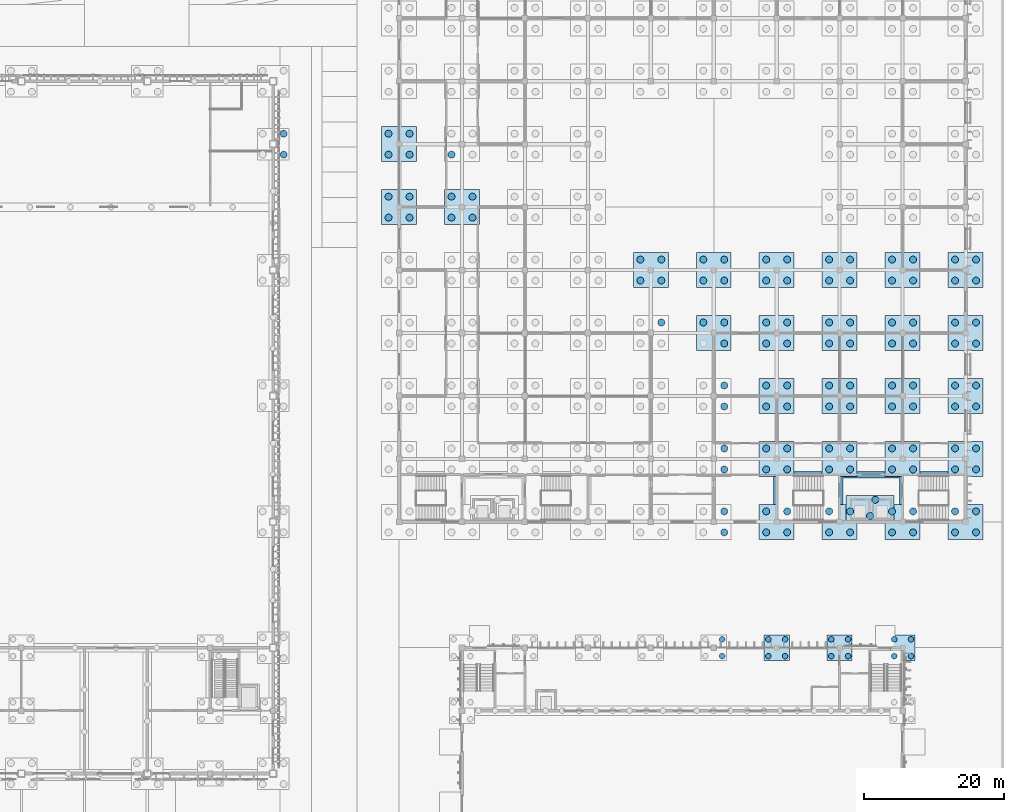
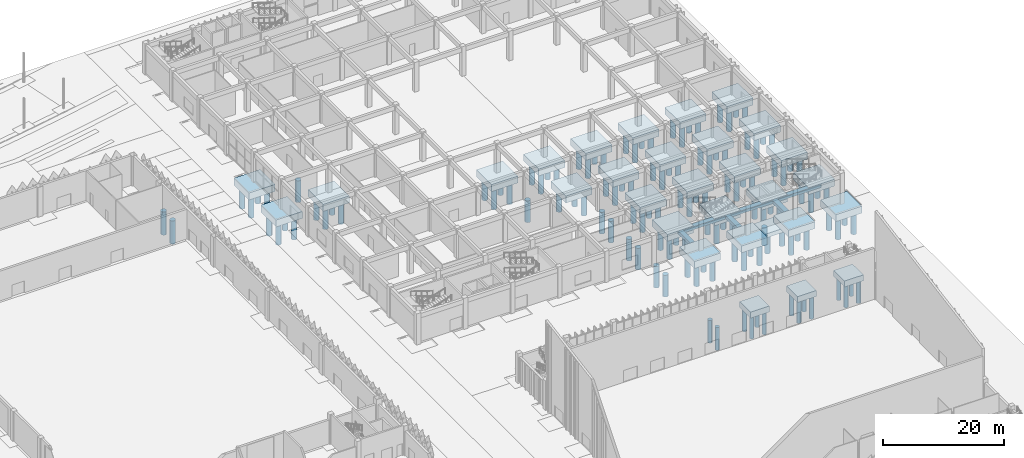
# One storey, part 15 of 198: 129 piles, 31 footings.
"""IFC4 building model written with IfcOpenShell, lengths in metres."""

from ifc_helpers import new_model, si_unit, direction, frame, origin, origin_2d, place, context, subcontext, project, spatial, polyline, circle, outline, extrude, material, layer, layer_set, material_profile, profile_set, type_object, element, save


model = new_model("IFC4")

# Units and contexts
model_context = context("Model", 3, precision=1e-05, world=origin(), true_north=direction((0.0, 1.0)))
body_context = subcontext(model_context, "Body", "Model", "MODEL_VIEW")
ifc_project = project(units=[si_unit("LENGTHUNIT", "METRE"), si_unit("AREAUNIT", "SQUARE_METRE"), si_unit("VOLUMEUNIT", "CUBIC_METRE"), si_unit("PLANEANGLEUNIT", "RADIAN"), si_unit("MASSUNIT", "GRAM", prefix="KILO")], contexts=[model_context])

# Site, building, storey
site_placement = place(None, origin())
site = spatial("IfcSite", under=ifc_project, at=site_placement, CompositionType="ELEMENT")
building_placement = place(site_placement, origin())
building = spatial("IfcBuilding", under=site, at=building_placement, Name="Opaline Strait Convention Centre", CompositionType="ELEMENT")
storey_placement = place(building_placement, origin())
storey = spatial("IfcBuildingStorey", under=building, at=storey_placement, Name="L00", CompositionType="ELEMENT", Elevation=0.0)

# Piles
ifc_material_1 = material(Name="Concrete C35", Category="concrete")
ifc_material_profile_1 = material_profile(ifc_material_1, circle(Radius=0.5, at=origin_2d()), Name="D1000")
ifc_profile_set_1 = profile_set([ifc_material_profile_1], Name="Concrete C35")
pile_type_1 = type_object("IfcPileType", Name="Bored pile D1000 C35", PredefinedType="BORED", material=ifc_profile_set_1)
for number, where, z_axis, x_axis, name in (
    (1, (262.5, 142.5, -1.300048828125), (0.0, 0.0, -1.0), (1.0, 0.0, 0.0), "Bored pile of cap 261/144"),
    (2, (262.5, 145.5, -1.300048828125), (0.0, 0.0, -1.0), (1.0, 0.0, 0.0), "Bored pile of cap 261/144"),
):
    element("IfcPile", number, at=place(storey_placement, frame(where, z_axis=z_axis, x_axis=x_axis)), inside=storey, type_object=pile_type_1, Name=name, PredefinedType="BORED", context=body_context, shape_type="SweptSolid", body=[
        extrude(circle(Radius=0.5, at=origin_2d()), origin(), (0.0, 0.0, 1.0), 4.699951171875),
    ])
ifc_material_profile_2 = material_profile(ifc_material_1, circle(Radius=0.5, at=origin_2d()), Name="D1000")
ifc_profile_set_2 = profile_set([ifc_material_profile_2], Name="Concrete C35")
pile_type_2 = type_object("IfcPileType", Name="Bored pile D1000 L3.6 C35", PredefinedType="BORED", material=ifc_profile_set_2)
for number, where, z_axis, x_axis, name in (
    (3, (346.35009765625, 90.85009765625, -2.39990234375), (0.0, 0.0, -1.0), (1.0, 0.0, 0.0), "MPL2 pile 1 of lift pit raft SE"),
    (4, (347.10009765625, 93.14990234375, -2.39990234375), (0.0, 0.0, -1.0), (1.0, 0.0, 0.0), "MPL2 pile 2 of lift pit raft SE"),
):
    element("IfcPile", number, at=place(storey_placement, frame(where, z_axis=z_axis, x_axis=x_axis)), inside=storey, type_object=pile_type_2, Name=name, PredefinedType="BORED", context=body_context, shape_type="SweptSolid", body=[
        extrude(circle(Radius=0.5, at=origin_2d()), origin(), (0.0, 0.0, 1.0), 3.60009765625),
    ])
ifc_material_profile_3 = material_profile(ifc_material_1, circle(Radius=0.5, at=origin_2d()), Name="D1000")
ifc_profile_set_3 = profile_set([ifc_material_profile_3], Name="Concrete C35")
pile_type_3 = type_object("IfcPileType", Name="Bored pile D1000 L4.4 C35", PredefinedType="BORED", material=ifc_profile_set_3)
for number, where, z_axis, x_axis, name in (
    (5, (277.5, 133.5, -1.60009765625), (0.0, 0.0, -1.0), (1.0, 0.0, 0.0), "MPL1 pile 1 of cap at 32/R"),
    (6, (277.5, 136.5, -1.60009765625), (0.0, 0.0, -1.0), (1.0, 0.0, 0.0), "MPL1 pile 2 of cap at 32/R"),
    (7, (280.5, 133.5, -1.60009765625), (0.0, 0.0, -1.0), (1.0, 0.0, 0.0), "MPL1 pile 3 of cap at 32/R"),
    (8, (280.5, 136.5, -1.60009765625), (0.0, 0.0, -1.0), (1.0, 0.0, 0.0), "MPL1 pile 4 of cap at 32/R"),
    (9, (277.5, 142.5, -1.60009765625), (0.0, 0.0, -1.0), (1.0, 0.0, 0.0), "MPL1 pile 1 of cap at 32/S"),
    (10, (277.5, 145.5, -1.60009765625), (0.0, 0.0, -1.0), (1.0, 0.0, 0.0), "MPL1 pile 2 of cap at 32/S"),
    (11, (280.5, 142.5, -1.60009765625), (0.0, 0.0, -1.0), (1.0, 0.0, 0.0), "MPL1 pile 3 of cap at 32/S"),
    (12, (280.5, 145.5, -1.60009765625), (0.0, 0.0, -1.0), (1.0, 0.0, 0.0), "MPL1 pile 4 of cap at 32/S"),
    (13, (286.5, 133.5, -1.60009765625), (0.0, 0.0, -1.0), (1.0, 0.0, 0.0), "MPL1 pile 1 of cap at 33/R"),
    (14, (286.5, 136.5, -1.60009765625), (0.0, 0.0, -1.0), (1.0, 0.0, 0.0), "MPL1 pile 2 of cap at 33/R"),
    (15, (289.5, 133.5, -1.60009765625), (0.0, 0.0, -1.0), (1.0, 0.0, 0.0), "MPL1 pile 3 of cap at 33/R"),
    (16, (289.5, 136.5, -1.60009765625), (0.0, 0.0, -1.0), (1.0, 0.0, 0.0), "MPL1 pile 4 of cap at 33/R"),
    (17, (286.5, 142.5, -1.60009765625), (0.0, 0.0, -1.0), (1.0, 0.0, 0.0), "MPL1 pile 1 of cap at 33/S"),
    (18, (316.5, 118.5, -1.60009765625), (0.0, 0.0, -1.0), (1.0, 0.0, 0.0), "MPL1 pile 4 of cap at 36/P"),
    (19, (313.5, 124.5, -1.60009765625), (0.0, 0.0, -1.0), (1.0, 0.0, 0.0), "MPL1 pile 1 of cap at 36/Q"),
    (20, (313.5, 127.5, -1.60009765625), (0.0, 0.0, -1.0), (1.0, 0.0, 0.0), "MPL1 pile 2 of cap at 36/Q"),
    (21, (316.5, 124.5, -1.60009765625), (0.0, 0.0, -1.0), (1.0, 0.0, 0.0), "MPL1 pile 3 of cap at 36/Q"),
    (22, (316.5, 127.5, -1.60009765625), (0.0, 0.0, -1.0), (1.0, 0.0, 0.0), "MPL1 pile 4 of cap at 36/Q"),
    (23, (325.5, 88.5, -1.60009765625), (0.0, 0.0, -1.0), (1.0, 0.0, 0.0), "MPL1 pile 3 of cap at 37/L"),
    (24, (325.5, 91.5, -1.60009765625), (0.0, 0.0, -1.0), (1.0, 0.0, 0.0), "MPL1 pile 4 of cap at 37/L"),
    (25, (325.5, 97.5, -1.60009765625), (0.0, 0.0, -1.0), (1.0, 0.0, 0.0), "MPL1 pile 3 of cap at 37/M"),
    (26, (325.5, 100.5, -1.60009765625), (0.0, 0.0, -1.0), (1.0, 0.0, 0.0), "MPL1 pile 4 of cap at 37/M"),
    (27, (325.5, 106.5, -1.60009765625), (0.0, 0.0, -1.0), (1.0, 0.0, 0.0), "MPL1 pile 3 of cap at 37/N"),
    (28, (325.5, 109.5, -1.60009765625), (0.0, 0.0, -1.0), (1.0, 0.0, 0.0), "MPL1 pile 4 of cap at 37/N"),
    (29, (322.5, 118.5, -1.60009765625), (0.0, 0.0, -1.0), (1.0, 0.0, 0.0), "MPL1 pile 2 of cap at 37/P"),
    (30, (325.5, 115.5, -1.60009765625), (0.0, 0.0, -1.0), (1.0, 0.0, 0.0), "MPL1 pile 3 of cap at 37/P"),
    (31, (325.5, 118.5, -1.60009765625), (0.0, 0.0, -1.0), (1.0, 0.0, 0.0), "MPL1 pile 4 of cap at 37/P"),
    (32, (322.5, 124.5, -1.60009765625), (0.0, 0.0, -1.0), (1.0, 0.0, 0.0), "MPL1 pile 1 of cap at 37/Q"),
    (33, (322.5, 127.5, -1.60009765625), (0.0, 0.0, -1.0), (1.0, 0.0, 0.0), "MPL1 pile 2 of cap at 37/Q"),
    (34, (325.5, 124.5, -1.60009765625), (0.0, 0.0, -1.0), (1.0, 0.0, 0.0), "MPL1 pile 3 of cap at 37/Q"),
    (35, (325.5, 127.5, -1.60009765625), (0.0, 0.0, -1.0), (1.0, 0.0, 0.0), "MPL1 pile 4 of cap at 37/Q"),
    (36, (331.5, 88.5, -1.60009765625), (0.0, 0.0, -1.0), (1.0, 0.0, 0.0), "MPL1 pile 1 of cap at 38/L"),
    (37, (331.5, 91.5, -1.60009765625), (0.0, 0.0, -1.0), (1.0, 0.0, 0.0), "MPL1 pile 2 of cap at 38/L"),
    (38, (334.5, 88.5, -1.60009765625), (0.0, 0.0, -1.0), (1.0, 0.0, 0.0), "MPL1 pile 3 of cap at 38/L"),
    (39, (334.5, 91.5, -1.60009765625), (0.0, 0.0, -1.0), (1.0, 0.0, 0.0), "MPL1 pile 4 of cap at 38/L"),
    (40, (331.5, 97.5, -1.60009765625), (0.0, 0.0, -1.0), (1.0, 0.0, 0.0), "MPL1 pile 1 of cap at 38/M"),
    (41, (331.5, 100.5, -1.60009765625), (0.0, 0.0, -1.0), (1.0, 0.0, 0.0), "MPL1 pile 2 of cap at 38/M"),
    (42, (334.5, 97.5, -1.60009765625), (0.0, 0.0, -1.0), (1.0, 0.0, 0.0), "MPL1 pile 3 of cap at 38/M"),
    (43, (334.5, 100.5, -1.60009765625), (0.0, 0.0, -1.0), (1.0, 0.0, 0.0), "MPL1 pile 4 of cap at 38/M"),
    (44, (331.5, 106.5, -1.60009765625), (0.0, 0.0, -1.0), (1.0, 0.0, 0.0), "MPL1 pile 1 of cap at 38/N"),
    (45, (331.5, 109.5, -1.60009765625), (0.0, 0.0, -1.0), (1.0, 0.0, 0.0), "MPL1 pile 2 of cap at 38/N"),
    (46, (334.5, 106.5, -1.60009765625), (0.0, 0.0, -1.0), (1.0, 0.0, 0.0), "MPL1 pile 3 of cap at 38/N"),
    (47, (334.5, 109.5, -1.60009765625), (0.0, 0.0, -1.0), (1.0, 0.0, 0.0), "MPL1 pile 4 of cap at 38/N"),
    (48, (331.5, 115.5, -1.60009765625), (0.0, 0.0, -1.0), (1.0, 0.0, 0.0), "MPL1 pile 1 of cap at 38/P"),
    (49, (331.5, 118.5, -1.60009765625), (0.0, 0.0, -1.0), (1.0, 0.0, 0.0), "MPL1 pile 2 of cap at 38/P"),
    (50, (334.5, 115.5, -1.60009765625), (0.0, 0.0, -1.0), (1.0, 0.0, 0.0), "MPL1 pile 3 of cap at 38/P"),
    (51, (334.5, 118.5, -1.60009765625), (0.0, 0.0, -1.0), (1.0, 0.0, 0.0), "MPL1 pile 4 of cap at 38/P"),
    (52, (331.5, 124.5, -1.60009765625), (0.0, 0.0, -1.0), (1.0, 0.0, 0.0), "MPL1 pile 1 of cap at 38/Q"),
    (53, (331.5, 127.5, -1.60009765625), (0.0, 0.0, -1.0), (1.0, 0.0, 0.0), "MPL1 pile 2 of cap at 38/Q"),
    (54, (334.5, 124.5, -1.60009765625), (0.0, 0.0, -1.0), (1.0, 0.0, 0.0), "MPL1 pile 3 of cap at 38/Q"),
    (55, (334.5, 127.5, -1.60009765625), (0.0, 0.0, -1.0), (1.0, 0.0, 0.0), "MPL1 pile 4 of cap at 38/Q"),
    (56, (340.5, 88.5, -1.60009765625), (0.0, 0.0, -1.0), (1.0, 0.0, 0.0), "MPL1 pile 1 of cap at 39/L"),
    (57, (340.5, 91.5, -1.60009765625), (0.0, 0.0, -1.0), (1.0, 0.0, 0.0), "MPL1 pile 2 of cap at 39/L"),
    (58, (343.5, 88.5, -1.60009765625), (0.0, 0.0, -1.0), (1.0, 0.0, 0.0), "MPL1 pile 3 of cap at 39/L"),
    (59, (343.5, 91.5, -1.60009765625), (0.0, 0.0, -1.0), (1.0, 0.0, 0.0), "MPL1 pile 4 of cap at 39/L"),
    (60, (340.5, 97.5, -1.60009765625), (0.0, 0.0, -1.0), (1.0, 0.0, 0.0), "MPL1 pile 1 of cap at 39/M"),
    (61, (340.5, 100.5, -1.60009765625), (0.0, 0.0, -1.0), (1.0, 0.0, 0.0), "MPL1 pile 2 of cap at 39/M"),
    (62, (343.5, 97.5, -1.60009765625), (0.0, 0.0, -1.0), (1.0, 0.0, 0.0), "MPL1 pile 3 of cap at 39/M"),
    (63, (343.5, 100.5, -1.60009765625), (0.0, 0.0, -1.0), (1.0, 0.0, 0.0), "MPL1 pile 4 of cap at 39/M"),
    (64, (340.5, 106.5, -1.60009765625), (0.0, 0.0, -1.0), (1.0, 0.0, 0.0), "MPL1 pile 1 of cap at 39/N"),
    (65, (340.5, 109.5, -1.60009765625), (0.0, 0.0, -1.0), (1.0, 0.0, 0.0), "MPL1 pile 2 of cap at 39/N"),
    (66, (343.5, 106.5, -1.60009765625), (0.0, 0.0, -1.0), (1.0, 0.0, 0.0), "MPL1 pile 3 of cap at 39/N"),
    (67, (343.5, 109.5, -1.60009765625), (0.0, 0.0, -1.0), (1.0, 0.0, 0.0), "MPL1 pile 4 of cap at 39/N"),
    (68, (340.5, 115.5, -1.60009765625), (0.0, 0.0, -1.0), (1.0, 0.0, 0.0), "MPL1 pile 1 of cap at 39/P"),
    (69, (340.5, 118.5, -1.60009765625), (0.0, 0.0, -1.0), (1.0, 0.0, 0.0), "MPL1 pile 2 of cap at 39/P"),
    (70, (343.5, 115.5, -1.60009765625), (0.0, 0.0, -1.0), (1.0, 0.0, 0.0), "MPL1 pile 3 of cap at 39/P"),
    (71, (343.5, 118.5, -1.60009765625), (0.0, 0.0, -1.0), (1.0, 0.0, 0.0), "MPL1 pile 4 of cap at 39/P"),
    (72, (340.5, 124.5, -1.60009765625), (0.0, 0.0, -1.0), (1.0, 0.0, 0.0), "MPL1 pile 1 of cap at 39/Q"),
    (73, (340.5, 127.5, -1.60009765625), (0.0, 0.0, -1.0), (1.0, 0.0, 0.0), "MPL1 pile 2 of cap at 39/Q"),
    (74, (343.5, 124.5, -1.60009765625), (0.0, 0.0, -1.0), (1.0, 0.0, 0.0), "MPL1 pile 3 of cap at 39/Q"),
    (75, (343.5, 127.5, -1.60009765625), (0.0, 0.0, -1.0), (1.0, 0.0, 0.0), "MPL1 pile 4 of cap at 39/Q"),
    (76, (349.5, 88.5, -1.60009765625), (0.0, 0.0, -1.0), (1.0, 0.0, 0.0), "MPL1 pile 1 of cap at 40/L"),
    (77, (349.5, 91.5, -1.60009765625), (0.0, 0.0, -1.0), (1.0, 0.0, 0.0), "MPL1 pile 2 of cap at 40/L"),
    (78, (352.5, 88.5, -1.60009765625), (0.0, 0.0, -1.0), (1.0, 0.0, 0.0), "MPL1 pile 3 of cap at 40/L"),
    (79, (352.5, 91.5, -1.60009765625), (0.0, 0.0, -1.0), (1.0, 0.0, 0.0), "MPL1 pile 4 of cap at 40/L"),
    (80, (349.5, 97.5, -1.60009765625), (0.0, 0.0, -1.0), (1.0, 0.0, 0.0), "MPL1 pile 1 of cap at 40/M"),
    (81, (349.5, 100.5, -1.60009765625), (0.0, 0.0, -1.0), (1.0, 0.0, 0.0), "MPL1 pile 2 of cap at 40/M"),
    (82, (352.5, 97.5, -1.60009765625), (0.0, 0.0, -1.0), (1.0, 0.0, 0.0), "MPL1 pile 3 of cap at 40/M"),
    (83, (352.5, 100.5, -1.60009765625), (0.0, 0.0, -1.0), (1.0, 0.0, 0.0), "MPL1 pile 4 of cap at 40/M"),
    (84, (349.5, 106.5, -1.60009765625), (0.0, 0.0, -1.0), (1.0, 0.0, 0.0), "MPL1 pile 1 of cap at 40/N"),
    (85, (349.5, 109.5, -1.60009765625), (0.0, 0.0, -1.0), (1.0, 0.0, 0.0), "MPL1 pile 2 of cap at 40/N"),
    (86, (352.5, 106.5, -1.60009765625), (0.0, 0.0, -1.0), (1.0, 0.0, 0.0), "MPL1 pile 3 of cap at 40/N"),
    (87, (352.5, 109.5, -1.60009765625), (0.0, 0.0, -1.0), (1.0, 0.0, 0.0), "MPL1 pile 4 of cap at 40/N"),
    (88, (349.5, 115.5, -1.60009765625), (0.0, 0.0, -1.0), (1.0, 0.0, 0.0), "MPL1 pile 1 of cap at 40/P"),
    (89, (349.5, 118.5, -1.60009765625), (0.0, 0.0, -1.0), (1.0, 0.0, 0.0), "MPL1 pile 2 of cap at 40/P"),
    (90, (352.5, 115.5, -1.60009765625), (0.0, 0.0, -1.0), (1.0, 0.0, 0.0), "MPL1 pile 3 of cap at 40/P"),
    (91, (352.5, 118.5, -1.60009765625), (0.0, 0.0, -1.0), (1.0, 0.0, 0.0), "MPL1 pile 4 of cap at 40/P"),
    (92, (349.5, 124.5, -1.60009765625), (0.0, 0.0, -1.0), (1.0, 0.0, 0.0), "MPL1 pile 1 of cap at 40/Q"),
    (93, (349.5, 127.5, -1.60009765625), (0.0, 0.0, -1.0), (1.0, 0.0, 0.0), "MPL1 pile 2 of cap at 40/Q"),
    (94, (352.5, 124.5, -1.60009765625), (0.0, 0.0, -1.0), (1.0, 0.0, 0.0), "MPL1 pile 3 of cap at 40/Q"),
    (95, (352.5, 127.5, -1.60009765625), (0.0, 0.0, -1.0), (1.0, 0.0, 0.0), "MPL1 pile 4 of cap at 40/Q"),
    (96, (358.5, 88.5, -1.60009765625), (0.0, 0.0, -1.0), (1.0, 0.0, 0.0), "MPL1 pile 1 of cap at 41/L"),
    (97, (358.5, 91.5, -1.60009765625), (0.0, 0.0, -1.0), (1.0, 0.0, 0.0), "MPL1 pile 2 of cap at 41/L"),
    (98, (361.5, 88.5, -1.60009765625), (0.0, 0.0, -1.0), (1.0, 0.0, 0.0), "MPL1 pile 3 of cap at 41/L"),
    (99, (361.5, 91.5, -1.60009765625), (0.0, 0.0, -1.0), (1.0, 0.0, 0.0), "MPL1 pile 4 of cap at 41/L"),
    (100, (358.5, 97.5, -1.60009765625), (0.0, 0.0, -1.0), (1.0, 0.0, 0.0), "MPL1 pile 1 of cap at 41/M"),
    (101, (358.5, 100.5, -1.60009765625), (0.0, 0.0, -1.0), (1.0, 0.0, 0.0), "MPL1 pile 2 of cap at 41/M"),
    (102, (361.5, 97.5, -1.60009765625), (0.0, 0.0, -1.0), (1.0, 0.0, 0.0), "MPL1 pile 3 of cap at 41/M"),
    (103, (361.5, 100.5, -1.60009765625), (0.0, 0.0, -1.0), (1.0, 0.0, 0.0), "MPL1 pile 4 of cap at 41/M"),
    (104, (358.5, 106.5, -1.60009765625), (0.0, 0.0, -1.0), (1.0, 0.0, 0.0), "MPL1 pile 1 of cap at 41/N"),
    (105, (358.5, 109.5, -1.60009765625), (0.0, 0.0, -1.0), (1.0, 0.0, 0.0), "MPL1 pile 2 of cap at 41/N"),
    (106, (361.5, 106.5, -1.60009765625), (0.0, 0.0, -1.0), (1.0, 0.0, 0.0), "MPL1 pile 3 of cap at 41/N"),
    (107, (361.5, 109.5, -1.60009765625), (0.0, 0.0, -1.0), (1.0, 0.0, 0.0), "MPL1 pile 4 of cap at 41/N"),
    (108, (358.5, 115.5, -1.60009765625), (0.0, 0.0, -1.0), (1.0, 0.0, 0.0), "MPL1 pile 1 of cap at 41/P"),
    (109, (358.5, 118.5, -1.60009765625), (0.0, 0.0, -1.0), (1.0, 0.0, 0.0), "MPL1 pile 2 of cap at 41/P"),
    (110, (361.5, 115.5, -1.60009765625), (0.0, 0.0, -1.0), (1.0, 0.0, 0.0), "MPL1 pile 3 of cap at 41/P"),
    (111, (361.5, 118.5, -1.60009765625), (0.0, 0.0, -1.0), (1.0, 0.0, 0.0), "MPL1 pile 4 of cap at 41/P"),
    (112, (358.5, 124.5, -1.60009765625), (0.0, 0.0, -1.0), (1.0, 0.0, 0.0), "MPL1 pile 1 of cap at 41/Q"),
    (113, (358.5, 127.5, -1.60009765625), (0.0, 0.0, -1.0), (1.0, 0.0, 0.0), "MPL1 pile 2 of cap at 41/Q"),
    (114, (361.5, 124.5, -1.60009765625), (0.0, 0.0, -1.0), (1.0, 0.0, 0.0), "MPL1 pile 3 of cap at 41/Q"),
    (115, (361.5, 127.5, -1.60009765625), (0.0, 0.0, -1.0), (1.0, 0.0, 0.0), "MPL1 pile 4 of cap at 41/Q"),
):
    element("IfcPile", number, at=place(storey_placement, frame(where, z_axis=z_axis, x_axis=x_axis)), inside=storey, type_object=pile_type_3, Name=name, PredefinedType="BORED", context=body_context, shape_type="SweptSolid", body=[
        extrude(circle(Radius=0.5, at=origin_2d()), origin(), (0.0, 0.0, 1.0), 4.39990234375),
    ])
ifc_material_profile_4 = material_profile(ifc_material_1, circle(Radius=0.39990234375, at=origin_2d()), Name="D800")
ifc_profile_set_4 = profile_set([ifc_material_profile_4], Name="Concrete C35")
pile_type_4 = type_object("IfcPileType", Name="Bored pile D800 L4.6 C35", PredefinedType="BORED", material=ifc_profile_set_4)
for number, where, z_axis, x_axis, name in (
    (116, (325.199951171875, 70.800048828125, -1.39990234375), (0.0, 0.0, -1.0), (1.0, 0.0, 0.0), "BP1 pile 2 at 37/J"),
    (117, (325.199951171875, 73.199951171875, -1.39990234375), (0.0, 0.0, -1.0), (1.0, 0.0, 0.0), "BP1 pile 4 at 37/J"),
    (118, (331.800048828125, 70.800048828125, -1.39990234375), (0.0, 0.0, -1.0), (1.0, 0.0, 0.0), "BP1 pile 1 at 38/J"),
    (119, (334.199951171875, 70.800048828125, -1.39990234375), (0.0, 0.0, -1.0), (1.0, 0.0, 0.0), "BP1 pile 2 at 38/J"),
    (120, (331.800048828125, 73.199951171875, -1.39990234375), (0.0, 0.0, -1.0), (1.0, 0.0, 0.0), "BP1 pile 3 at 38/J"),
    (121, (334.199951171875, 73.199951171875, -1.39990234375), (0.0, 0.0, -1.0), (1.0, 0.0, 0.0), "BP1 pile 4 at 38/J"),
    (122, (340.800048828125, 70.800048828125, -1.39990234375), (0.0, 0.0, -1.0), (1.0, 0.0, 0.0), "BP1 pile 1 at 39/J"),
    (123, (343.199951171875, 70.800048828125, -1.39990234375), (0.0, 0.0, -1.0), (1.0, 0.0, 0.0), "BP1 pile 2 at 39/J"),
    (124, (340.800048828125, 73.199951171875, -1.39990234375), (0.0, 0.0, -1.0), (1.0, 0.0, 0.0), "BP1 pile 3 at 39/J"),
    (125, (343.199951171875, 73.199951171875, -1.39990234375), (0.0, 0.0, -1.0), (1.0, 0.0, 0.0), "BP1 pile 4 at 39/J"),
    (126, (349.800048828125, 70.800048828125, -1.39990234375), (0.0, 0.0, -1.0), (1.0, 0.0, 0.0), "BP1 pile 1 at 40/J"),
    (127, (352.199951171875, 70.800048828125, -1.39990234375), (0.0, 0.0, -1.0), (1.0, 0.0, 0.0), "BP1 pile 2 at 40/J"),
    (128, (349.800048828125, 73.199951171875, -1.39990234375), (0.0, 0.0, -1.0), (1.0, 0.0, 0.0), "BP1 pile 3 at 40/J"),
    (129, (352.199951171875, 73.199951171875, -1.39990234375), (0.0, 0.0, -1.0), (1.0, 0.0, 0.0), "BP1 pile 4 at 40/J"),
):
    element("IfcPile", number, at=place(storey_placement, frame(where, z_axis=z_axis, x_axis=x_axis)), inside=storey, type_object=pile_type_4, Name=name, PredefinedType="BORED", context=body_context, shape_type="SweptSolid", body=[
        extrude(circle(Radius=0.39990234375, at=origin_2d()), origin(), (0.0, 0.0, 1.0), 4.60009765625),
    ])

# Footings
ifc_layer_1 = layer(ifc_material_1, 1.199951171875)
ifc_layer_set_1 = layer_set([ifc_layer_1], Name="Concrete C35")
footing_type_1 = type_object("IfcFootingType", Name="Pile cap 2x2 piles D800 3600x3600x1200 C35", PredefinedType="PILE_CAP", material=ifc_layer_set_1)
footing_1_placement = place(storey_placement, frame((0.0, 0.0, -1.5)))
element("IfcFooting", 130, at=footing_1_placement, inside=storey, type_object=footing_type_1, Name="BF1 pile cap at 38/J", PredefinedType="PILE_CAP", context=body_context, shape_type="SweptSolid", body=[
    extrude(outline(polyline([(331.199951171875, 70.199951171875), (334.800048828125, 70.199951171875), (334.800048828125, 73.800048828125), (331.199951171875, 73.800048828125), (331.199951171875, 70.199951171875)])), origin(), (0.0, 0.0, 1.0), 1.199951171875),
])
footing_2_placement = place(storey_placement, frame((0.0, 0.0, -1.5)))
element("IfcFooting", 131, at=footing_2_placement, inside=storey, type_object=footing_type_1, Name="BF1 pile cap at 39/J", PredefinedType="PILE_CAP", context=body_context, shape_type="SweptSolid", body=[
    extrude(outline(polyline([(340.199951171875, 70.199951171875), (343.800048828125, 70.199951171875), (343.800048828125, 73.800048828125), (340.199951171875, 73.800048828125), (340.199951171875, 70.199951171875)])), origin(), (0.0, 0.0, 1.0), 1.199951171875),
])
footing_3_placement = place(storey_placement, frame((0.0, 0.0, -1.5)))
element("IfcFooting", 132, at=footing_3_placement, inside=storey, type_object=footing_type_1, Name="BF1 pile cap at 40/J", PredefinedType="PILE_CAP", context=body_context, shape_type="SweptSolid", body=[
    extrude(outline(polyline([(349.199951171875, 70.199951171875), (352.800048828125, 70.199951171875), (352.800048828125, 73.800048828125), (349.199951171875, 73.800048828125), (349.199951171875, 70.199951171875)])), origin(), (0.0, 0.0, 1.0), 1.199951171875),
])
ifc_material_2 = material(Name="Concrete C40", Category="concrete")
ifc_layer_2 = layer(ifc_material_2, 1.39990234375)
ifc_layer_set_2 = layer_set([ifc_layer_2], Name="Concrete C40")
footing_type_2 = type_object("IfcFootingType", Name="Pile cap 4 piles 5000x5000x1400 C40", PredefinedType="PILE_CAP", material=ifc_layer_set_2)
footing_4_placement = place(storey_placement, frame((0.0, 0.0, -1.699951171875)))
element("IfcFooting", 133, at=footing_4_placement, inside=storey, type_object=footing_type_2, Name="MPC1 pile cap at 32/R", PredefinedType="PILE_CAP", context=body_context, shape_type="SweptSolid", body=[
    extrude(outline(polyline([(276.5, 132.5), (281.5, 132.5), (281.5, 137.5), (276.5, 137.5), (276.5, 132.5)])), origin(), (0.0, 0.0, 1.0), 1.39990234375),
])
footing_5_placement = place(storey_placement, frame((0.0, 0.0, -1.699951171875)))
element("IfcFooting", 134, at=footing_5_placement, inside=storey, type_object=footing_type_2, Name="MPC1 pile cap at 32/S", PredefinedType="PILE_CAP", context=body_context, shape_type="SweptSolid", body=[
    extrude(outline(polyline([(276.5, 141.5), (281.5, 141.5), (281.5, 146.5), (276.5, 146.5), (276.5, 141.5)])), origin(), (0.0, 0.0, 1.0), 1.39990234375),
])
footing_6_placement = place(storey_placement, frame((0.0, 0.0, -1.699951171875)))
element("IfcFooting", 135, at=footing_6_placement, inside=storey, type_object=footing_type_2, Name="MPC1 pile cap at 33/R", PredefinedType="PILE_CAP", context=body_context, shape_type="SweptSolid", body=[
    extrude(outline(polyline([(285.5, 132.5), (290.5, 132.5), (290.5, 137.5), (285.5, 137.5), (285.5, 132.5)])), origin(), (0.0, 0.0, 1.0), 1.39990234375),
])
footing_7_placement = place(storey_placement, frame((0.0, 0.0, -1.699951171875)))
element("IfcFooting", 136, at=footing_7_placement, inside=storey, type_object=footing_type_2, Name="MPC1 pile cap at 36/Q", PredefinedType="PILE_CAP", context=body_context, shape_type="SweptSolid", body=[
    extrude(outline(polyline([(312.5, 123.5), (317.5, 123.5), (317.5, 128.5), (312.5, 128.5), (312.5, 123.5)])), origin(), (0.0, 0.0, 1.0), 1.39990234375),
])
footing_8_placement = place(storey_placement, frame((0.0, 0.0, -1.699951171875)))
element("IfcFooting", 137, at=footing_8_placement, inside=storey, type_object=footing_type_2, Name="MPC1 pile cap at 37/P", PredefinedType="PILE_CAP", context=body_context, shape_type="SweptSolid", body=[
    extrude(outline(polyline([(321.5, 114.5), (326.5, 114.5), (326.5, 119.5), (321.5, 119.5), (321.5, 114.5)])), origin(), (0.0, 0.0, 1.0), 1.39990234375),
])
footing_9_placement = place(storey_placement, frame((0.0, 0.0, -1.699951171875)))
element("IfcFooting", 138, at=footing_9_placement, inside=storey, type_object=footing_type_2, Name="MPC1 pile cap at 37/Q", PredefinedType="PILE_CAP", context=body_context, shape_type="SweptSolid", body=[
    extrude(outline(polyline([(321.5, 123.5), (326.5, 123.5), (326.5, 128.5), (321.5, 128.5), (321.5, 123.5)])), origin(), (0.0, 0.0, 1.0), 1.39990234375),
])
footing_10_placement = place(storey_placement, frame((0.0, 0.0, -1.699951171875)))
element("IfcFooting", 139, at=footing_10_placement, inside=storey, type_object=footing_type_2, Name="MPC1 pile cap at 38/L", PredefinedType="PILE_CAP", context=body_context, shape_type="SweptSolid", body=[
    extrude(outline(polyline([(330.5, 87.5), (335.5, 87.5), (335.5, 92.5), (330.5, 92.5), (330.5, 87.5)])), origin(), (0.0, 0.0, 1.0), 1.39990234375),
])
footing_11_placement = place(storey_placement, frame((0.0, 0.0, -1.699951171875)))
element("IfcFooting", 140, at=footing_11_placement, inside=storey, type_object=footing_type_2, Name="MPC1 pile cap at 38/M", PredefinedType="PILE_CAP", context=body_context, shape_type="SweptSolid", body=[
    extrude(outline(polyline([(330.5, 96.5), (335.5, 96.5), (335.5, 101.5), (330.5, 101.5), (330.5, 96.5)])), origin(), (0.0, 0.0, 1.0), 1.39990234375),
])
footing_12_placement = place(storey_placement, frame((0.0, 0.0, -1.699951171875)))
element("IfcFooting", 141, at=footing_12_placement, inside=storey, type_object=footing_type_2, Name="MPC1 pile cap at 38/N", PredefinedType="PILE_CAP", context=body_context, shape_type="SweptSolid", body=[
    extrude(outline(polyline([(330.5, 105.5), (335.5, 105.5), (335.5, 110.5), (330.5, 110.5), (330.5, 105.5)])), origin(), (0.0, 0.0, 1.0), 1.39990234375),
])
footing_13_placement = place(storey_placement, frame((0.0, 0.0, -1.699951171875)))
element("IfcFooting", 142, at=footing_13_placement, inside=storey, type_object=footing_type_2, Name="MPC1 pile cap at 38/P", PredefinedType="PILE_CAP", context=body_context, shape_type="SweptSolid", body=[
    extrude(outline(polyline([(330.5, 114.5), (335.5, 114.5), (335.5, 119.5), (330.5, 119.5), (330.5, 114.5)])), origin(), (0.0, 0.0, 1.0), 1.39990234375),
])
footing_14_placement = place(storey_placement, frame((0.0, 0.0, -1.699951171875)))
element("IfcFooting", 143, at=footing_14_placement, inside=storey, type_object=footing_type_2, Name="MPC1 pile cap at 38/Q", PredefinedType="PILE_CAP", context=body_context, shape_type="SweptSolid", body=[
    extrude(outline(polyline([(330.5, 123.5), (335.5, 123.5), (335.5, 128.5), (330.5, 128.5), (330.5, 123.5)])), origin(), (0.0, 0.0, 1.0), 1.39990234375),
])
footing_15_placement = place(storey_placement, frame((0.0, 0.0, -1.699951171875)))
element("IfcFooting", 144, at=footing_15_placement, inside=storey, type_object=footing_type_2, Name="MPC1 pile cap at 39/L", PredefinedType="PILE_CAP", context=body_context, shape_type="SweptSolid", body=[
    extrude(outline(polyline([(339.5, 87.5), (344.5, 87.5), (344.5, 92.5), (339.5, 92.5), (339.5, 87.5)])), origin(), (0.0, 0.0, 1.0), 1.39990234375),
])
footing_16_placement = place(storey_placement, frame((0.0, 0.0, -1.699951171875)))
element("IfcFooting", 145, at=footing_16_placement, inside=storey, type_object=footing_type_2, Name="MPC1 pile cap at 39/M", PredefinedType="PILE_CAP", context=body_context, shape_type="SweptSolid", body=[
    extrude(outline(polyline([(339.5, 96.5), (344.5, 96.5), (344.5, 101.5), (339.5, 101.5), (339.5, 96.5)])), origin(), (0.0, 0.0, 1.0), 1.39990234375),
])
footing_17_placement = place(storey_placement, frame((0.0, 0.0, -1.699951171875)))
element("IfcFooting", 146, at=footing_17_placement, inside=storey, type_object=footing_type_2, Name="MPC1 pile cap at 39/N", PredefinedType="PILE_CAP", context=body_context, shape_type="SweptSolid", body=[
    extrude(outline(polyline([(339.5, 105.5), (344.5, 105.5), (344.5, 110.5), (339.5, 110.5), (339.5, 105.5)])), origin(), (0.0, 0.0, 1.0), 1.39990234375),
])
footing_18_placement = place(storey_placement, frame((0.0, 0.0, -1.699951171875)))
element("IfcFooting", 147, at=footing_18_placement, inside=storey, type_object=footing_type_2, Name="MPC1 pile cap at 39/P", PredefinedType="PILE_CAP", context=body_context, shape_type="SweptSolid", body=[
    extrude(outline(polyline([(339.5, 114.5), (344.5, 114.5), (344.5, 119.5), (339.5, 119.5), (339.5, 114.5)])), origin(), (0.0, 0.0, 1.0), 1.39990234375),
])
footing_19_placement = place(storey_placement, frame((0.0, 0.0, -1.699951171875)))
element("IfcFooting", 148, at=footing_19_placement, inside=storey, type_object=footing_type_2, Name="MPC1 pile cap at 39/Q", PredefinedType="PILE_CAP", context=body_context, shape_type="SweptSolid", body=[
    extrude(outline(polyline([(339.5, 123.5), (344.5, 123.5), (344.5, 128.5), (339.5, 128.5), (339.5, 123.5)])), origin(), (0.0, 0.0, 1.0), 1.39990234375),
])
footing_20_placement = place(storey_placement, frame((0.0, 0.0, -1.699951171875)))
element("IfcFooting", 149, at=footing_20_placement, inside=storey, type_object=footing_type_2, Name="MPC1 pile cap at 40/L", PredefinedType="PILE_CAP", context=body_context, shape_type="SweptSolid", body=[
    extrude(outline(polyline([(348.5, 87.5), (353.5, 87.5), (353.5, 92.5), (348.5, 92.5), (348.5, 87.5)])), origin(), (0.0, 0.0, 1.0), 1.39990234375),
])
footing_21_placement = place(storey_placement, frame((0.0, 0.0, -1.699951171875)))
element("IfcFooting", 150, at=footing_21_placement, inside=storey, type_object=footing_type_2, Name="MPC1 pile cap at 40/M", PredefinedType="PILE_CAP", context=body_context, shape_type="SweptSolid", body=[
    extrude(outline(polyline([(348.5, 96.5), (353.5, 96.5), (353.5, 101.5), (348.5, 101.5), (348.5, 96.5)])), origin(), (0.0, 0.0, 1.0), 1.39990234375),
])
footing_22_placement = place(storey_placement, frame((0.0, 0.0, -1.699951171875)))
element("IfcFooting", 151, at=footing_22_placement, inside=storey, type_object=footing_type_2, Name="MPC1 pile cap at 40/N", PredefinedType="PILE_CAP", context=body_context, shape_type="SweptSolid", body=[
    extrude(outline(polyline([(348.5, 105.5), (353.5, 105.5), (353.5, 110.5), (348.5, 110.5), (348.5, 105.5)])), origin(), (0.0, 0.0, 1.0), 1.39990234375),
])
footing_23_placement = place(storey_placement, frame((0.0, 0.0, -1.699951171875)))
element("IfcFooting", 152, at=footing_23_placement, inside=storey, type_object=footing_type_2, Name="MPC1 pile cap at 40/P", PredefinedType="PILE_CAP", context=body_context, shape_type="SweptSolid", body=[
    extrude(outline(polyline([(348.5, 114.5), (353.5, 114.5), (353.5, 119.5), (348.5, 119.5), (348.5, 114.5)])), origin(), (0.0, 0.0, 1.0), 1.39990234375),
])
footing_24_placement = place(storey_placement, frame((0.0, 0.0, -1.699951171875)))
element("IfcFooting", 153, at=footing_24_placement, inside=storey, type_object=footing_type_2, Name="MPC1 pile cap at 40/Q", PredefinedType="PILE_CAP", context=body_context, shape_type="SweptSolid", body=[
    extrude(outline(polyline([(348.5, 123.5), (353.5, 123.5), (353.5, 128.5), (348.5, 128.5), (348.5, 123.5)])), origin(), (0.0, 0.0, 1.0), 1.39990234375),
])
footing_25_placement = place(storey_placement, frame((0.0, 0.0, -1.699951171875)))
element("IfcFooting", 154, at=footing_25_placement, inside=storey, type_object=footing_type_2, Name="MPC1 pile cap at 41/L", PredefinedType="PILE_CAP", context=body_context, shape_type="SweptSolid", body=[
    extrude(outline(polyline([(357.5, 87.5), (362.5, 87.5), (362.5, 92.5), (357.5, 92.5), (357.5, 87.5)])), origin(), (0.0, 0.0, 1.0), 1.39990234375),
])
footing_26_placement = place(storey_placement, frame((0.0, 0.0, -1.699951171875)))
element("IfcFooting", 155, at=footing_26_placement, inside=storey, type_object=footing_type_2, Name="MPC1 pile cap at 41/M", PredefinedType="PILE_CAP", context=body_context, shape_type="SweptSolid", body=[
    extrude(outline(polyline([(357.5, 96.5), (362.5, 96.5), (362.5, 101.5), (357.5, 101.5), (357.5, 96.5)])), origin(), (0.0, 0.0, 1.0), 1.39990234375),
])
footing_27_placement = place(storey_placement, frame((0.0, 0.0, -1.699951171875)))
element("IfcFooting", 156, at=footing_27_placement, inside=storey, type_object=footing_type_2, Name="MPC1 pile cap at 41/N", PredefinedType="PILE_CAP", context=body_context, shape_type="SweptSolid", body=[
    extrude(outline(polyline([(357.5, 105.5), (362.5, 105.5), (362.5, 110.5), (357.5, 110.5), (357.5, 105.5)])), origin(), (0.0, 0.0, 1.0), 1.39990234375),
])
footing_28_placement = place(storey_placement, frame((0.0, 0.0, -1.699951171875)))
element("IfcFooting", 157, at=footing_28_placement, inside=storey, type_object=footing_type_2, Name="MPC1 pile cap at 41/P", PredefinedType="PILE_CAP", context=body_context, shape_type="SweptSolid", body=[
    extrude(outline(polyline([(357.5, 114.5), (362.5, 114.5), (362.5, 119.5), (357.5, 119.5), (357.5, 114.5)])), origin(), (0.0, 0.0, 1.0), 1.39990234375),
])
footing_29_placement = place(storey_placement, frame((0.0, 0.0, -1.699951171875)))
element("IfcFooting", 158, at=footing_29_placement, inside=storey, type_object=footing_type_2, Name="MPC1 pile cap at 41/Q", PredefinedType="PILE_CAP", context=body_context, shape_type="SweptSolid", body=[
    extrude(outline(polyline([(357.5, 123.5), (362.5, 123.5), (362.5, 128.5), (357.5, 128.5), (357.5, 123.5)])), origin(), (0.0, 0.0, 1.0), 1.39990234375),
])
ifc_layer_3 = layer(ifc_material_2, 0.800048828125)
ifc_layer_set_3 = layer_set([ifc_layer_3], Name="Concrete C40")
footing_type_3 = type_object("IfcFootingType", Name="Pile cap lift pit 6900x3400x800 C40", PredefinedType="PILE_CAP", material=ifc_layer_set_3)
footing_30_placement = place(storey_placement, frame((0.0, 0.0, -2.5)))
element("IfcFooting", 159, at=footing_30_placement, inside=storey, type_object=footing_type_3, Name="MPR1 lift pit raft SE", PredefinedType="PILE_CAP", context=body_context, shape_type="SweptSolid", body=[
    extrude(outline(polyline([(349.800048828125, 90.199951171875), (349.800048828125, 93.800048828125), (342.89990234375, 93.800048828125), (342.89990234375, 90.199951171875), (349.800048828125, 90.199951171875)])), origin(), (0.0, 0.0, 1.0), 0.800048828125),
])
ifc_layer_4 = layer(ifc_material_2, 0.60009765625)
ifc_layer_set_4 = layer_set([ifc_layer_4], Name="Concrete C40")
footing_type_4 = type_object("IfcFootingType", Name="Strip footing 900 under core wall C40", PredefinedType="STRIP_FOOTING", material=ifc_layer_set_4)
footing_31_placement = place(storey_placement, frame((0.0, 0.0, -0.89990234375)))
element("IfcFooting", 160, at=footing_31_placement, inside=storey, type_object=footing_type_4, Name="MSF1 strip footing 2", PredefinedType="STRIP_FOOTING", context=body_context, shape_type="SweptSolid", body=[
    extrude(outline(polyline([(339.5, 96.5), (344.5, 96.5), (344.5, 97.199951171875), (348.5, 97.199951171875), (348.5, 96.5), (353.5, 96.5), (353.5, 97.199951171875), (357.5, 97.199951171875), (357.5, 96.5), (359.800048828125, 96.5), (359.800048828125, 96.300048828125), (351.449951171875, 96.300048828125), (351.449951171875, 92.5), (350.550048828125, 92.5), (350.550048828125, 96.300048828125), (342.449951171875, 96.300048828125), (342.449951171875, 92.5), (341.550048828125, 92.5), (341.550048828125, 96.300048828125), (333.449951171875, 96.300048828125), (333.449951171875, 92.5), (332.550048828125, 92.5), (332.550048828125, 96.5), (335.5, 96.5), (335.5, 97.199951171875), (339.5, 97.199951171875), (339.5, 96.5)])), origin(), (0.0, 0.0, 1.0), 0.599853515625),
])

save(model, "model.ifc")
